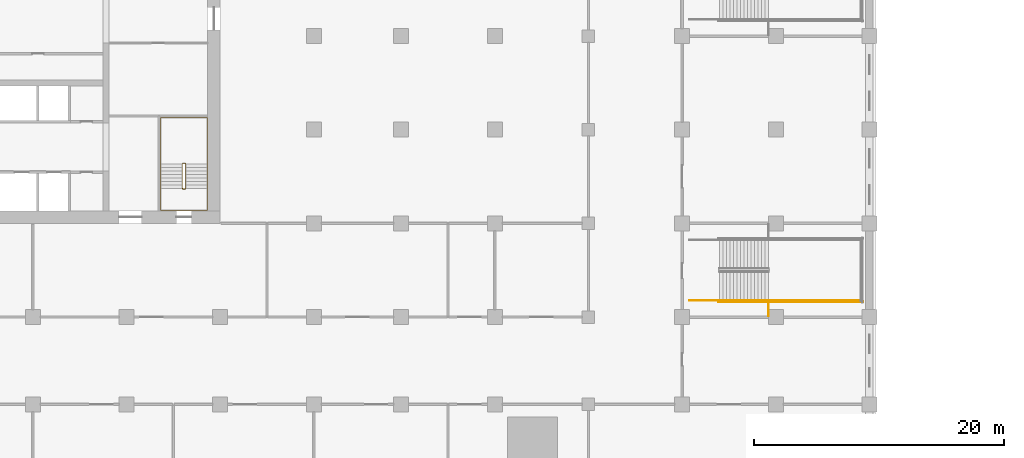
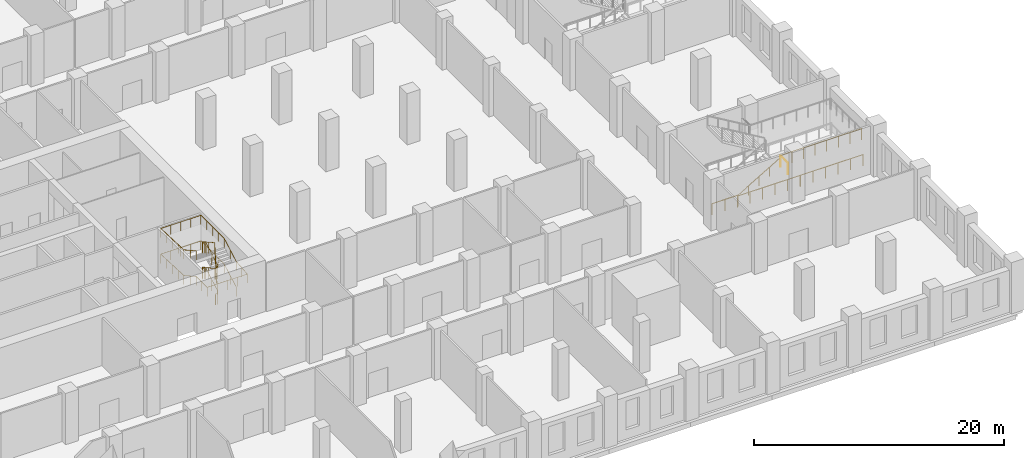
# One storey, part 23 of 32: 7 railings.
"""IFC4 building model written with IfcOpenShell, lengths in metres."""

from ifc_helpers import new_model, si_unit, direction, frame, origin, origin_2d, place, context, subcontext, project, spatial, circle, extrude, material, type_object, element, save


model = new_model("IFC4")

# Units and contexts
model_context = context("Model", 3, precision=1e-05, world=origin(), true_north=direction((0.0, 1.0)))
body_context = subcontext(model_context, "Body", "Model", "MODEL_VIEW")
ifc_project = project(units=[si_unit("LENGTHUNIT", "METRE"), si_unit("AREAUNIT", "SQUARE_METRE"), si_unit("VOLUMEUNIT", "CUBIC_METRE"), si_unit("PLANEANGLEUNIT", "RADIAN"), si_unit("MASSUNIT", "GRAM", prefix="KILO")], contexts=[model_context])

# Site, building, storey
site_placement = place(None, origin())
site = spatial("IfcSite", under=ifc_project, at=site_placement, CompositionType="ELEMENT")
building_placement = place(site_placement, origin())
building = spatial("IfcBuilding", under=site, at=building_placement, Name="Tamorin Gate", CompositionType="ELEMENT")
storey_placement = place(building_placement, frame((0.0, 0.0, 13.5)))
storey = spatial("IfcBuildingStorey", under=building, at=storey_placement, Name="L02", CompositionType="ELEMENT", Elevation=13.5)

# Railings
ifc_material_1 = material(Name="Steel", Category="steel")
railing_type_1 = type_object("IfcRailingType", Name="Podium guard 1100", PredefinedType="GUARDRAIL", material=ifc_material_1)
railing_1_placement = place(storey_placement, frame((103.919921875, 53.824951171875, 2.5)))
element("IfcRailing", 1, at=railing_1_placement, inside=storey, type_object=railing_type_1, Name="L02 PS3 stair guard 3", PredefinedType="GUARDRAIL", context=body_context, shape_type="SweptSolid", body=[
    extrude(circle(Radius=0.02392578125, at=origin_2d()), frame((0.0, 0.0, 1.076171875), z_axis=(1.0, 0.0, 0.0), x_axis=(0.0, 1.0, 0.0)), (0.0, 0.0, 1.0), 7.47998046875),
    extrude(circle(Radius=0.02099609375, at=origin_2d()), origin(), (0.0, 0.0, 1.0), 1.052001953125),
    extrude(circle(Radius=0.02099609375, at=origin_2d()), frame((1.068603515625, 0.0, 0.0)), (0.0, 0.0, 1.0), 1.052001953125),
    extrude(circle(Radius=0.02099609375, at=origin_2d()), frame((2.13720703125, 0.0, 0.0)), (0.0, 0.0, 1.0), 1.052001953125),
    extrude(circle(Radius=0.02099609375, at=origin_2d()), frame((3.205810546875, 0.0, 0.0)), (0.0, 0.0, 1.0), 1.052001953125),
    extrude(circle(Radius=0.02099609375, at=origin_2d()), frame((4.274169921875, 0.0, 0.0)), (0.0, 0.0, 1.0), 1.052001953125),
    extrude(circle(Radius=0.02099609375, at=origin_2d()), frame((5.3427734375, 0.0, 0.0)), (0.0, 0.0, 1.0), 1.052001953125),
    extrude(circle(Radius=0.02099609375, at=origin_2d()), frame((6.411376953125, 0.0, 0.0)), (0.0, 0.0, 1.0), 1.052001953125),
    extrude(circle(Radius=0.02099609375, at=origin_2d()), frame((7.47998046875, 0.0, 0.0)), (0.0, 0.0, 1.0), 1.052001953125),
])
railing_2_placement = place(storey_placement, frame((97.60009765625, 53.824951171875, 0.0)))
element("IfcRailing", 2, at=railing_2_placement, inside=storey, type_object=railing_type_1, Name="L02 PS3 stair guard 8", PredefinedType="GUARDRAIL", context=body_context, shape_type="SweptSolid", body=[
    extrude(circle(Radius=0.02392578125, at=origin_2d()), frame((0.0, 0.0, 1.076171875), z_axis=(1.0, 0.0, 0.0), x_axis=(0.0, 1.0, 0.0)), (0.0, 0.0, 1.0), 2.39990234375),
    extrude(circle(Radius=0.02099609375, at=origin_2d()), origin(), (0.0, 0.0, 1.0), 1.052001953125),
    extrude(circle(Radius=0.02099609375, at=origin_2d()), frame((1.199951171875, 0.0, 0.0)), (0.0, 0.0, 1.0), 1.052001953125),
    extrude(circle(Radius=0.02099609375, at=origin_2d()), frame((2.39990234375, 0.0, 0.0)), (0.0, 0.0, 1.0), 1.052001953125),
])
railing_3_placement = place(storey_placement, frame((99.89990234375, 53.72509765625, 0.0)))
element("IfcRailing", 3, at=railing_3_placement, inside=storey, type_object=railing_type_1, Name="L02 PS3 stair guard 10", PredefinedType="GUARDRAIL", context=body_context, shape_type="SweptSolid", body=[
    extrude(circle(Radius=0.02392578125, at=origin_2d()), frame((0.0, 0.0, 1.076171875), z_axis=(1.0, 0.0, 0.0), x_axis=(0.0, 1.0, 0.0)), (0.0, 0.0, 1.0), 11.60009765625),
    extrude(circle(Radius=0.02099609375, at=origin_2d()), origin(), (0.0, 0.0, 1.0), 1.052001953125),
    extrude(circle(Radius=0.02099609375, at=origin_2d()), frame((1.159912109375, 0.0, 0.0)), (0.0, 0.0, 1.0), 1.052001953125),
    extrude(circle(Radius=0.02099609375, at=origin_2d()), frame((2.320068359375, 0.0, 0.0)), (0.0, 0.0, 1.0), 1.052001953125),
    extrude(circle(Radius=0.02099609375, at=origin_2d()), frame((3.47998046875, 0.0, 0.0)), (0.0, 0.0, 1.0), 1.052001953125),
    extrude(circle(Radius=0.02099609375, at=origin_2d()), frame((4.64013671875, 0.0, 0.0)), (0.0, 0.0, 1.0), 1.052001953125),
    extrude(circle(Radius=0.02099609375, at=origin_2d()), frame((5.800048828125, 0.0, 0.0)), (0.0, 0.0, 1.0), 1.052001953125),
    extrude(circle(Radius=0.02099609375, at=origin_2d()), frame((6.9599609375, 0.0, 0.0)), (0.0, 0.0, 1.0), 1.052001953125),
    extrude(circle(Radius=0.02099609375, at=origin_2d()), frame((8.1201171875, 0.0, 0.0)), (0.0, 0.0, 1.0), 1.052001953125),
    extrude(circle(Radius=0.02099609375, at=origin_2d()), frame((9.280029296875, 0.0, 0.0)), (0.0, 0.0, 1.0), 1.052001953125),
    extrude(circle(Radius=0.02099609375, at=origin_2d()), frame((10.440185546875, 0.0, 0.0)), (0.0, 0.0, 1.0), 1.052001953125),
    extrude(circle(Radius=0.02099609375, at=origin_2d()), frame((11.60009765625, 0.0, 0.0)), (0.0, 0.0, 1.0), 1.052001953125),
])
railing_4_placement = place(storey_placement, frame((103.919921875, 52.60009765625, 2.5)))
element("IfcRailing", 4, at=railing_4_placement, inside=storey, type_object=railing_type_1, Name="Landing edge guard", PredefinedType="GUARDRAIL", context=body_context, shape_type="SweptSolid", body=[
    extrude(circle(Radius=0.02392578125, at=origin_2d()), frame((0.0, 0.0, 1.076171875), z_axis=(0.0, 1.0, 0.0), x_axis=(-1.0, 0.0, 0.0)), (0.0, 0.0, 1.0), 1.1748046875),
    extrude(circle(Radius=0.02099609375, at=origin_2d()), origin(), (0.0, 0.0, 1.0), 1.052001953125),
    extrude(circle(Radius=0.02099609375, at=origin_2d()), frame((0.0, 1.1748046875, 0.0)), (0.0, 0.0, 1.0), 1.052001953125),
])
railing_type_2 = type_object("IfcRailingType", Name="Podium stair handrail 900", PredefinedType="HANDRAIL", material=ifc_material_1)
railing_5_placement = place(storey_placement, frame((100.0, 53.824951171875, 0.166748046875)))
element("IfcRailing", 5, at=railing_5_placement, inside=storey, type_object=railing_type_2, Name="L02 PS3 stair handrail 1", PredefinedType="HANDRAIL", context=body_context, shape_type="SweptSolid", body=[
    extrude(circle(Radius=0.02392578125, at=origin_2d()), frame((0.0, 0.0, 0.8759765625), z_axis=(0.859296244711, 0.0, 0.511478214419), x_axis=(0.0, 1.0, 0.0)), (0.0, 0.0, 1.0), 4.561767578125),
    extrude(circle(Radius=0.02099609375, at=origin_2d()), origin(), (0.0, 0.0, 1.0), 0.851806640625),
    extrude(circle(Radius=0.02099609375, at=origin_2d()), frame((0.97998046875, 0.0, 0.583251953125)), (0.0, 0.0, 1.0), 0.851806640625),
    extrude(circle(Radius=0.02099609375, at=origin_2d()), frame((1.9599609375, 0.0, 1.16650390625)), (0.0, 0.0, 1.0), 0.851806640625),
    extrude(circle(Radius=0.02099609375, at=origin_2d()), frame((2.93994140625, 0.0, 1.75)), (0.0, 0.0, 1.0), 0.851806640625),
    extrude(circle(Radius=0.02099609375, at=origin_2d()), frame((3.919921875, 0.0, 2.333251953125)), (0.0, 0.0, 1.0), 0.851806640625),
])
ifc_material_2 = material(Name="Painted steel balustrade", Category="steel")
railing_type_3 = type_object("IfcRailingType", Name="Stair guard 1100", PredefinedType="GUARDRAIL", material=ifc_material_2)
railing_6_placement = place(storey_placement, frame((57.25, 62.800048828125, 0.15625)))
element("IfcRailing", 6, at=railing_6_placement, inside=storey, type_object=railing_type_3, Name="L02 ST3 stair guard 1", PredefinedType="GUARDRAIL", context=body_context, shape_type="SweptSolid", body=[
    extrude(circle(Radius=0.02392578125, at=origin_2d()), frame((0.0, 0.0, 1.076171875), z_axis=(0.0, 0.873232148454, 0.487304437602), x_axis=(-1.0, 0.0, 0.0)), (0.0, 0.0, 1.0), 2.244384765625),
    extrude(circle(Radius=0.02392578125, at=origin_2d()), frame((0.0, 1.9599609375, 2.169921875), z_axis=(-0.707106781187, 0.707106781187, 0.0), x_axis=(-0.707106781187, -0.707106781187, 0.0)), (0.0, 0.0, 1.0), 0.07080078125),
    extrude(circle(Radius=0.02392578125, at=origin_2d()), frame((-0.050048828125, 2.010009765625, 2.169921875), z_axis=(-1.0, 0.0, 0.0), x_axis=(0.0, -1.0, 0.0)), (0.0, 0.0, 1.0), 0.199951171875),
    extrude(circle(Radius=0.02392578125, at=origin_2d()), frame((-0.25, 2.010009765625, 2.169921875), z_axis=(-0.29177245553, -0.29177245553, 0.91089937336), x_axis=(0.707106781187, -0.707106781187, 0.0)), (0.0, 0.0, 1.0), 0.171630859375),
    extrude(circle(Radius=0.02392578125, at=origin_2d()), frame((-0.300048828125, 1.9599609375, 2.326171875), z_axis=(0.0, -0.873232148454, 0.487304437602), x_axis=(1.0, 0.0, 0.0)), (0.0, 0.0, 1.0), 2.244384765625),
    extrude(circle(Radius=0.02392578125, at=origin_2d()), frame((-0.300048828125, 0.0, 3.419921875), z_axis=(0.98054382908, -0.196300278283, 0.0), x_axis=(0.196300278283, 0.98054382908, 0.0)), (0.0, 0.0, 1.0), 0.2548828125),
    extrude(circle(Radius=0.02392578125, at=origin_2d()), frame((-0.050048828125, -0.050048828125, 3.419921875), z_axis=(-1.0, 0.0, 0.0), x_axis=(0.0, -1.0, 0.0)), (0.0, 0.0, 1.0), 0.199951171875),
    extrude(circle(Radius=0.02392578125, at=origin_2d()), frame((-0.25, -0.050048828125, 3.419921875), z_axis=(0.836036486302, 0.167370585637, 0.522522803939), x_axis=(-0.196300278283, 0.98054382908, 0.0)), (0.0, 0.0, 1.0), 0.299072265625),
    extrude(circle(Radius=0.02392578125, at=origin_2d()), frame((0.0, 0.0, 3.576171875), z_axis=(0.0, 0.873232148454, 0.487304437602), x_axis=(-1.0, 0.0, 0.0)), (0.0, 0.0, 1.0), 2.244384765625),
    extrude(circle(Radius=0.02392578125, at=origin_2d()), frame((0.0, 1.9599609375, 4.669921875), z_axis=(-0.707106781187, 0.707106781187, 0.0), x_axis=(-0.707106781187, -0.707106781187, 0.0)), (0.0, 0.0, 1.0), 0.07080078125),
    extrude(circle(Radius=0.02392578125, at=origin_2d()), frame((-0.050048828125, 2.010009765625, 4.669921875), z_axis=(-1.0, 0.0, 0.0), x_axis=(0.0, -1.0, 0.0)), (0.0, 0.0, 1.0), 0.199951171875),
    extrude(circle(Radius=0.02392578125, at=origin_2d()), frame((-0.25, 2.010009765625, 4.669921875), z_axis=(-0.29177245553, -0.29177245553, 0.91089937336), x_axis=(0.707106781187, -0.707106781187, 0.0)), (0.0, 0.0, 1.0), 0.171630859375),
    extrude(circle(Radius=0.02392578125, at=origin_2d()), frame((-0.300048828125, 1.9599609375, 4.826171875), z_axis=(0.0, -0.873232148454, 0.487304437602), x_axis=(1.0, 0.0, 0.0)), (0.0, 0.0, 1.0), 2.244384765625),
    extrude(circle(Radius=0.02392578125, at=origin_2d()), frame((-0.300048828125, 0.0, 5.919921875), z_axis=(0.04993512161, -0.009996777275, -0.998702432196), x_axis=(0.196300278283, 0.98054382908, 0.0)), (0.0, 0.0, 1.0), 5.006591796875),
    extrude(circle(Radius=0.02392578125, at=origin_2d()), frame((-0.050048828125, -0.050048828125, 0.919921875), z_axis=(-1.0, 0.0, 0.0), x_axis=(0.0, -1.0, 0.0)), (0.0, 0.0, 1.0), 0.199951171875),
    extrude(circle(Radius=0.02099609375, at=origin_2d()), origin(), (0.0, 0.0, 1.0), 1.052001953125),
    extrude(circle(Radius=0.02099609375, at=origin_2d()), frame((0.0, 0.97998046875, 0.546875)), (0.0, 0.0, 1.0), 1.052001953125),
    extrude(circle(Radius=0.02099609375, at=origin_2d()), frame((0.0, 1.9599609375, 1.09375)), (0.0, 0.0, 1.0), 1.052001953125),
    extrude(circle(Radius=0.02099609375, at=origin_2d()), frame((-0.050048828125, 2.010009765625, 1.09375)), (0.0, 0.0, 1.0), 1.052001953125),
    extrude(circle(Radius=0.02099609375, at=origin_2d()), frame((-0.25, 2.010009765625, 1.09375)), (0.0, 0.0, 1.0), 1.052001953125),
    extrude(circle(Radius=0.02099609375, at=origin_2d()), frame((-0.300048828125, 1.9599609375, 1.25)), (0.0, 0.0, 1.0), 1.052001953125),
    extrude(circle(Radius=0.02099609375, at=origin_2d()), frame((-0.300048828125, 0.97998046875, 1.796875)), (0.0, 0.0, 1.0), 1.052001953125),
    extrude(circle(Radius=0.02099609375, at=origin_2d()), frame((-0.300048828125, 0.0, 2.34375)), (0.0, 0.0, 1.0), 1.052001953125),
    extrude(circle(Radius=0.02099609375, at=origin_2d()), frame((-0.050048828125, -0.050048828125, 2.34375)), (0.0, 0.0, 1.0), 1.052001953125),
    extrude(circle(Radius=0.02099609375, at=origin_2d()), frame((-0.25, -0.050048828125, 2.34375)), (0.0, 0.0, 1.0), 1.052001953125),
    extrude(circle(Radius=0.02099609375, at=origin_2d()), frame((0.0, 0.0, 2.5)), (0.0, 0.0, 1.0), 1.052001953125),
    extrude(circle(Radius=0.02099609375, at=origin_2d()), frame((0.0, 0.97998046875, 3.046875)), (0.0, 0.0, 1.0), 1.052001953125),
    extrude(circle(Radius=0.02099609375, at=origin_2d()), frame((0.0, 1.9599609375, 3.59375)), (0.0, 0.0, 1.0), 1.052001953125),
    extrude(circle(Radius=0.02099609375, at=origin_2d()), frame((-0.050048828125, 2.010009765625, 3.59375)), (0.0, 0.0, 1.0), 1.052001953125),
    extrude(circle(Radius=0.02099609375, at=origin_2d()), frame((-0.25, 2.010009765625, 3.59375)), (0.0, 0.0, 1.0), 1.052001953125),
    extrude(circle(Radius=0.02099609375, at=origin_2d()), frame((-0.300048828125, 1.9599609375, 3.75)), (0.0, 0.0, 1.0), 1.052001953125),
    extrude(circle(Radius=0.02099609375, at=origin_2d()), frame((-0.300048828125, 0.97998046875, 4.296875)), (0.0, 0.0, 1.0), 1.052001953125),
    extrude(circle(Radius=0.02099609375, at=origin_2d()), frame((-0.300048828125, 0.0, 4.84375)), (0.0, 0.0, 1.0), 1.052001953125),
    extrude(circle(Radius=0.02099609375, at=origin_2d()), frame((-0.25, -0.010009765625, 3.84375)), (0.0, 0.0, 1.0), 1.052001953125),
    extrude(circle(Radius=0.02099609375, at=origin_2d()), frame((-0.199951171875, -0.02001953125, 2.84375)), (0.0, 0.0, 1.0), 1.052001953125),
    extrude(circle(Radius=0.02099609375, at=origin_2d()), frame((-0.150146484375, -0.030029296875, 1.84375)), (0.0, 0.0, 1.0), 1.052001953125),
    extrude(circle(Radius=0.02099609375, at=origin_2d()), frame((-0.10009765625, -0.0400390625, 0.84375)), (0.0, 0.0, 1.0), 1.052001953125),
    extrude(circle(Radius=0.02099609375, at=origin_2d()), frame((-0.050048828125, -0.050048828125, -0.15625)), (0.0, 0.0, 1.0), 1.052001953125),
    extrude(circle(Radius=0.02099609375, at=origin_2d()), frame((-0.25, -0.050048828125, -0.15625)), (0.0, 0.0, 1.0), 1.052001953125),
])
ifc_material_3 = material(Name="Painted steel handrail", Category="steel")
railing_type_4 = type_object("IfcRailingType", Name="Stair handrail 900", PredefinedType="HANDRAIL", material=ifc_material_3)
railing_7_placement = place(storey_placement, frame((58.949951171875, 62.800048828125, 0.15625)))
element("IfcRailing", 7, at=railing_7_placement, inside=storey, type_object=railing_type_4, Name="L02 ST3 stair handrail 1", PredefinedType="HANDRAIL", context=body_context, shape_type="SweptSolid", body=[
    extrude(circle(Radius=0.02392578125, at=origin_2d()), frame((0.0, 0.0, 0.8759765625), z_axis=(0.0, 0.873232148454, 0.487304437602), x_axis=(-1.0, 0.0, 0.0)), (0.0, 0.0, 1.0), 2.244384765625),
    extrude(circle(Radius=0.02392578125, at=origin_2d()), frame((0.0, 1.9599609375, 1.9697265625), z_axis=(0.0, 1.0, 0.0), x_axis=(-1.0, 0.0, 0.0)), (0.0, 0.0, 1.0), 3.68994140625),
    extrude(circle(Radius=0.02392578125, at=origin_2d()), frame((0.0, 5.64990234375, 1.9697265625), z_axis=(-1.0, 0.0, 0.0), x_axis=(0.0, -1.0, 0.0)), (0.0, 0.0, 1.0), 3.699951171875),
    extrude(circle(Radius=0.02392578125, at=origin_2d()), frame((-3.699951171875, 5.64990234375, 1.9697265625), z_axis=(0.0, -0.999104660901, 0.042306932842), x_axis=(1.0, 0.0, 0.0)), (0.0, 0.0, 1.0), 3.693359375),
    extrude(circle(Radius=0.02392578125, at=origin_2d()), frame((-3.699951171875, 1.9599609375, 2.1259765625), z_axis=(0.0, -0.873232148454, 0.487304437602), x_axis=(1.0, 0.0, 0.0)), (0.0, 0.0, 1.0), 2.244384765625),
    extrude(circle(Radius=0.02392578125, at=origin_2d()), frame((-3.699951171875, 0.0, 3.2197265625), z_axis=(0.0, -1.0, 0.0), x_axis=(1.0, 0.0, 0.0)), (0.0, 0.0, 1.0), 1.75),
    extrude(circle(Radius=0.02392578125, at=origin_2d()), frame((-3.699951171875, -1.75, 3.2197265625), z_axis=(1.0, 0.0, 0.0), x_axis=(0.0, 1.0, 0.0)), (0.0, 0.0, 1.0), 3.699951171875),
    extrude(circle(Radius=0.02392578125, at=origin_2d()), frame((0.0, -1.75, 3.2197265625), z_axis=(0.0, 0.996037705314, 0.088931937975), x_axis=(-1.0, 0.0, 0.0)), (0.0, 0.0, 1.0), 1.757080078125),
    extrude(circle(Radius=0.02392578125, at=origin_2d()), frame((0.0, 0.0, 3.3759765625), z_axis=(0.0, 0.873232148454, 0.487304437602), x_axis=(-1.0, 0.0, 0.0)), (0.0, 0.0, 1.0), 2.244384765625),
    extrude(circle(Radius=0.02392578125, at=origin_2d()), frame((0.0, 1.9599609375, 4.4697265625), z_axis=(0.0, 1.0, 0.0), x_axis=(-1.0, 0.0, 0.0)), (0.0, 0.0, 1.0), 3.68994140625),
    extrude(circle(Radius=0.02392578125, at=origin_2d()), frame((0.0, 5.64990234375, 4.4697265625), z_axis=(-1.0, 0.0, 0.0), x_axis=(0.0, -1.0, 0.0)), (0.0, 0.0, 1.0), 3.699951171875),
    extrude(circle(Radius=0.02392578125, at=origin_2d()), frame((-3.699951171875, 5.64990234375, 4.4697265625), z_axis=(0.0, -0.999104660901, 0.042306932842), x_axis=(1.0, 0.0, 0.0)), (0.0, 0.0, 1.0), 3.693359375),
    extrude(circle(Radius=0.02392578125, at=origin_2d()), frame((-3.699951171875, 1.9599609375, 4.6259765625), z_axis=(0.0, -0.873232148454, 0.487304437602), x_axis=(1.0, 0.0, 0.0)), (0.0, 0.0, 1.0), 2.244384765625),
    extrude(circle(Radius=0.02099609375, at=origin_2d()), origin(), (0.0, 0.0, 1.0), 0.851806640625),
    extrude(circle(Radius=0.02099609375, at=origin_2d()), frame((0.0, 0.97998046875, 0.546875)), (0.0, 0.0, 1.0), 0.851806640625),
    extrude(circle(Radius=0.02099609375, at=origin_2d()), frame((0.0, 1.9599609375, 1.09375)), (0.0, 0.0, 1.0), 0.851806640625),
    extrude(circle(Radius=0.02099609375, at=origin_2d()), frame((0.0, 2.88232421875, 1.09375)), (0.0, 0.0, 1.0), 0.851806640625),
    extrude(circle(Radius=0.02099609375, at=origin_2d()), frame((0.0, 3.804931640625, 1.09375)), (0.0, 0.0, 1.0), 0.851806640625),
    extrude(circle(Radius=0.02099609375, at=origin_2d()), frame((0.0, 4.7275390625, 1.09375)), (0.0, 0.0, 1.0), 0.851806640625),
    extrude(circle(Radius=0.02099609375, at=origin_2d()), frame((0.0, 5.64990234375, 1.09375)), (0.0, 0.0, 1.0), 0.851806640625),
    extrude(circle(Radius=0.02099609375, at=origin_2d()), frame((-0.925048828125, 5.64990234375, 1.09375)), (0.0, 0.0, 1.0), 0.851806640625),
    extrude(circle(Radius=0.02099609375, at=origin_2d()), frame((-1.85009765625, 5.64990234375, 1.09375)), (0.0, 0.0, 1.0), 0.851806640625),
    extrude(circle(Radius=0.02099609375, at=origin_2d()), frame((-2.77490234375, 5.64990234375, 1.09375)), (0.0, 0.0, 1.0), 0.851806640625),
    extrude(circle(Radius=0.02099609375, at=origin_2d()), frame((-3.699951171875, 5.64990234375, 1.09375)), (0.0, 0.0, 1.0), 0.851806640625),
    extrude(circle(Radius=0.02099609375, at=origin_2d()), frame((-3.699951171875, 4.7275390625, 1.1328125)), (0.0, 0.0, 1.0), 0.851806640625),
    extrude(circle(Radius=0.02099609375, at=origin_2d()), frame((-3.699951171875, 3.804931640625, 1.171875)), (0.0, 0.0, 1.0), 0.851806640625),
    extrude(circle(Radius=0.02099609375, at=origin_2d()), frame((-3.699951171875, 2.88232421875, 1.2109375)), (0.0, 0.0, 1.0), 0.851806640625),
    extrude(circle(Radius=0.02099609375, at=origin_2d()), frame((-3.699951171875, 1.9599609375, 1.25)), (0.0, 0.0, 1.0), 0.851806640625),
    extrude(circle(Radius=0.02099609375, at=origin_2d()), frame((-3.699951171875, 0.97998046875, 1.796875)), (0.0, 0.0, 1.0), 0.851806640625),
    extrude(circle(Radius=0.02099609375, at=origin_2d()), frame((-3.699951171875, 0.0, 2.34375)), (0.0, 0.0, 1.0), 0.851806640625),
    extrude(circle(Radius=0.02099609375, at=origin_2d()), frame((-3.699951171875, -0.875, 2.34375)), (0.0, 0.0, 1.0), 0.851806640625),
    extrude(circle(Radius=0.02099609375, at=origin_2d()), frame((-3.699951171875, -1.75, 2.34375)), (0.0, 0.0, 1.0), 0.851806640625),
    extrude(circle(Radius=0.02099609375, at=origin_2d()), frame((-2.77490234375, -1.75, 2.34375)), (0.0, 0.0, 1.0), 0.851806640625),
    extrude(circle(Radius=0.02099609375, at=origin_2d()), frame((-1.85009765625, -1.75, 2.34375)), (0.0, 0.0, 1.0), 0.851806640625),
    extrude(circle(Radius=0.02099609375, at=origin_2d()), frame((-0.925048828125, -1.75, 2.34375)), (0.0, 0.0, 1.0), 0.851806640625),
    extrude(circle(Radius=0.02099609375, at=origin_2d()), frame((0.0, -1.75, 2.34375)), (0.0, 0.0, 1.0), 0.851806640625),
    extrude(circle(Radius=0.02099609375, at=origin_2d()), frame((0.0, -0.875, 2.421875)), (0.0, 0.0, 1.0), 0.851806640625),
    extrude(circle(Radius=0.02099609375, at=origin_2d()), frame((0.0, 0.0, 2.5)), (0.0, 0.0, 1.0), 0.851806640625),
    extrude(circle(Radius=0.02099609375, at=origin_2d()), frame((0.0, 0.97998046875, 3.046875)), (0.0, 0.0, 1.0), 0.851806640625),
    extrude(circle(Radius=0.02099609375, at=origin_2d()), frame((0.0, 1.9599609375, 3.59375)), (0.0, 0.0, 1.0), 0.851806640625),
    extrude(circle(Radius=0.02099609375, at=origin_2d()), frame((0.0, 2.88232421875, 3.59375)), (0.0, 0.0, 1.0), 0.851806640625),
    extrude(circle(Radius=0.02099609375, at=origin_2d()), frame((0.0, 3.804931640625, 3.59375)), (0.0, 0.0, 1.0), 0.851806640625),
    extrude(circle(Radius=0.02099609375, at=origin_2d()), frame((0.0, 4.7275390625, 3.59375)), (0.0, 0.0, 1.0), 0.851806640625),
    extrude(circle(Radius=0.02099609375, at=origin_2d()), frame((0.0, 5.64990234375, 3.59375)), (0.0, 0.0, 1.0), 0.851806640625),
    extrude(circle(Radius=0.02099609375, at=origin_2d()), frame((-0.925048828125, 5.64990234375, 3.59375)), (0.0, 0.0, 1.0), 0.851806640625),
    extrude(circle(Radius=0.02099609375, at=origin_2d()), frame((-1.85009765625, 5.64990234375, 3.59375)), (0.0, 0.0, 1.0), 0.851806640625),
    extrude(circle(Radius=0.02099609375, at=origin_2d()), frame((-2.77490234375, 5.64990234375, 3.59375)), (0.0, 0.0, 1.0), 0.851806640625),
    extrude(circle(Radius=0.02099609375, at=origin_2d()), frame((-3.699951171875, 5.64990234375, 3.59375)), (0.0, 0.0, 1.0), 0.851806640625),
    extrude(circle(Radius=0.02099609375, at=origin_2d()), frame((-3.699951171875, 4.7275390625, 3.6328125)), (0.0, 0.0, 1.0), 0.851806640625),
    extrude(circle(Radius=0.02099609375, at=origin_2d()), frame((-3.699951171875, 3.804931640625, 3.671875)), (0.0, 0.0, 1.0), 0.851806640625),
    extrude(circle(Radius=0.02099609375, at=origin_2d()), frame((-3.699951171875, 2.88232421875, 3.7109375)), (0.0, 0.0, 1.0), 0.851806640625),
    extrude(circle(Radius=0.02099609375, at=origin_2d()), frame((-3.699951171875, 1.9599609375, 3.75)), (0.0, 0.0, 1.0), 0.851806640625),
    extrude(circle(Radius=0.02099609375, at=origin_2d()), frame((-3.699951171875, 0.97998046875, 4.296875)), (0.0, 0.0, 1.0), 0.851806640625),
    extrude(circle(Radius=0.02099609375, at=origin_2d()), frame((-3.699951171875, 0.0, 4.84375)), (0.0, 0.0, 1.0), 0.851806640625),
])

save(model, "model.ifc")
